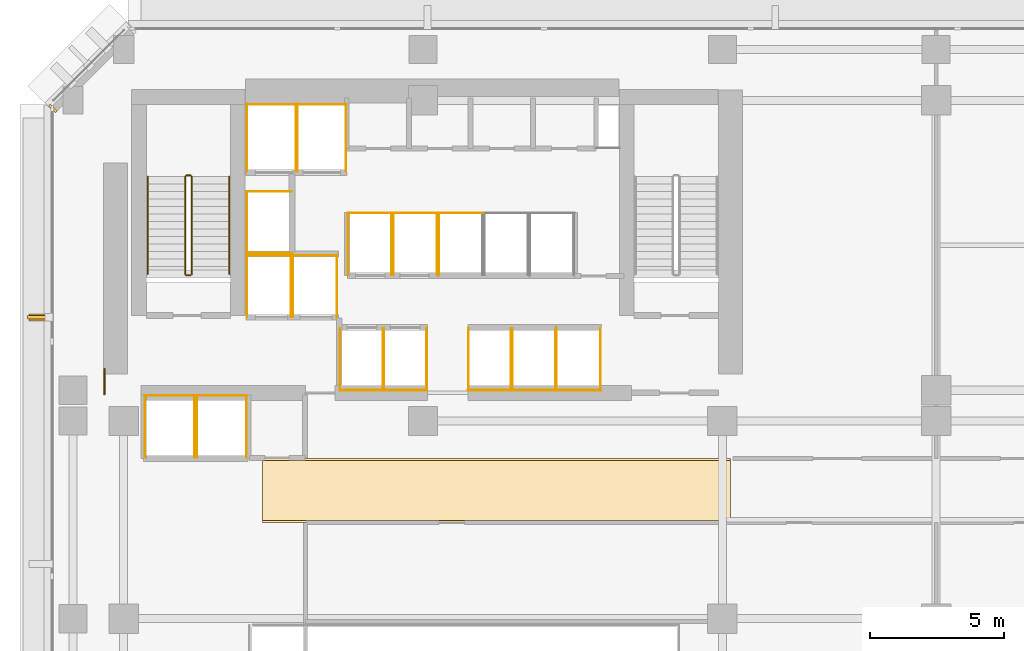
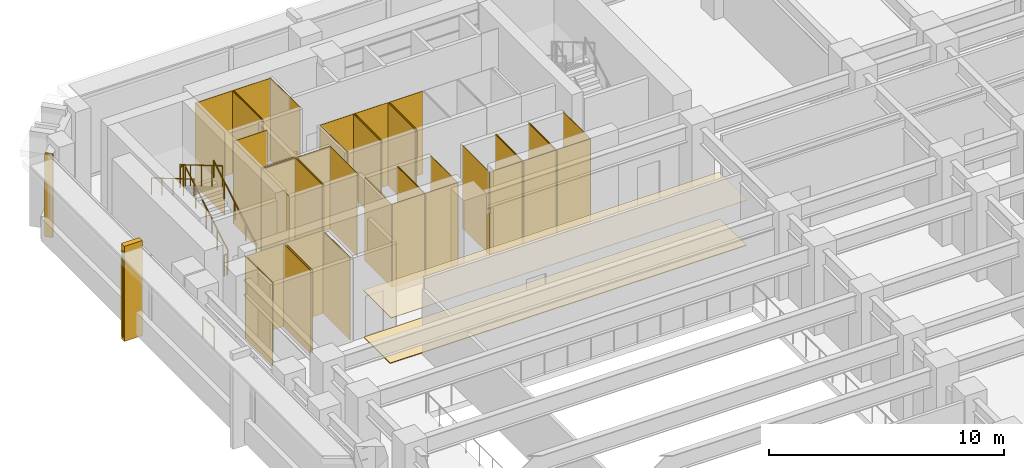
# One storey, part 13 of 16: 48 coverings, 7 railings, 1 shading device.
"""IFC4 building model written with IfcOpenShell, lengths in metres."""

from ifc_helpers import new_model, si_unit, direction, frame, origin, origin_2d, place, context, subcontext, project, spatial, polyline, rectangle, circle, outline, extrude, material, layer, layer_set, material_profile, profile_set, type_object, element, save


model = new_model("IFC4")

# Units and contexts
model_context = context("Model", 3, precision=1e-05, world=origin(), true_north=direction((0.0, 1.0)))
body_context = subcontext(model_context, "Body", "Model", "MODEL_VIEW")
ifc_project = project(units=[si_unit("LENGTHUNIT", "METRE"), si_unit("AREAUNIT", "SQUARE_METRE"), si_unit("VOLUMEUNIT", "CUBIC_METRE"), si_unit("PLANEANGLEUNIT", "RADIAN"), si_unit("MASSUNIT", "GRAM", prefix="KILO")], contexts=[model_context])

# Site, building, storey
site_placement = place(None, origin())
site = spatial("IfcSite", under=ifc_project, at=site_placement, CompositionType="ELEMENT")
building_placement = place(site_placement, origin())
building = spatial("IfcBuilding", under=site, at=building_placement, Name="Kefirva Bronze Tower", CompositionType="ELEMENT")
storey_placement = place(building_placement, frame((0.0, 0.0, 16.5)))
storey = spatial("IfcBuildingStorey", under=building, at=storey_placement, Name="L03", CompositionType="ELEMENT", Elevation=16.5)

# Coverings
ifc_material_1 = material(Name="Acoustic mineral tile")
ifc_layer_1 = layer(ifc_material_1, 0.02490234375, Name="Acoustic mineral tile")
ifc_layer_set_1 = layer_set([ifc_layer_1], Name="Acoustic mineral tile")
covering_type_1 = type_object("IfcCoveringType", Name="Acoustic Mineral Suspended Ceiling 25mm", PredefinedType="CEILING", material=ifc_layer_set_1)
covering_1_placement = place(storey_placement, frame((0.0, 0.0, 2.39990234375)))
element("IfcCovering", 1, at=covering_1_placement, inside=storey, type_object=covering_type_1, Name="L03 Corridor Acoustic Ceiling", PredefinedType="CEILING", context=body_context, shape_type="SweptSolid", body=[
    extrude(outline(polyline([(6.0, 29.39990234375), (23.5, 29.39990234375), (23.5, 31.800048828125), (6.0, 31.800048828125), (6.0, 29.39990234375)])), origin(), (0.0, 0.0, 1.0), 0.025146484375),
])
ifc_material_2 = material(Name="Bronze anodised aluminium", Category="aluminium")
ifc_layer_2 = layer(ifc_material_2, 0.02001953125, Name="Bronze anodised aluminium")
ifc_layer_set_2 = layer_set([ifc_layer_2], Name="Bronze anodised aluminium")
covering_type_2 = type_object("IfcCoveringType", Name="Anodised Bronze Spandrel Cladding 20mm", PredefinedType="CLADDING", material=ifc_layer_set_2)
covering_2_placement = place(storey_placement, frame((-1.847900390625, 44.8974609375, 0.0), z_axis=(0.0, 0.0, 1.0), x_axis=(-0.707106781187, -0.707106781187, 0.0)))
element("IfcCovering", 2, at=covering_2_placement, inside=storey, type_object=covering_type_2, Name="L03 Facade Joint Closure Panel 6E", PredefinedType="CLADDING", context=body_context, shape_type="SweptSolid", body=[
    extrude(rectangle(XDim=0.10009765625, YDim=0.360107421875, at=origin_2d()), origin(), (0.0, 0.0, 1.0), 4.300048828125),
])
covering_3_placement = place(storey_placement, origin())
element("IfcCovering", 3, at=covering_3_placement, inside=storey, type_object=covering_type_2, Name="L03 Lift FF1 Hoistway Liner N", PredefinedType="CLADDING", context=body_context, shape_type="SweptSolid", body=[
    extrude(outline(polyline([(5.39990234375, 39.389892578125), (7.080078125, 39.389892578125), (7.080078125, 39.409912109375), (5.39990234375, 39.409912109375), (5.39990234375, 39.389892578125)])), origin(), (0.0, 0.0, 1.0), 4.300048828125),
])
covering_4_placement = place(storey_placement, origin())
element("IfcCovering", 4, at=covering_4_placement, inside=storey, type_object=covering_type_2, Name="L03 Lift FF1 Hoistway Liner W", PredefinedType="CLADDING", context=body_context, shape_type="SweptSolid", body=[
    extrude(outline(polyline([(5.409912109375, 37.080078125), (5.429931640625, 37.080078125), (5.429931640625, 39.419921875), (5.409912109375, 39.419921875), (5.409912109375, 37.080078125)])), origin(), (0.0, 0.0, 1.0), 4.300048828125),
])
covering_5_placement = place(storey_placement, origin())
element("IfcCovering", 5, at=covering_5_placement, inside=storey, type_object=covering_type_2, Name="L03 Lift FF1 Hoistway Liner E", PredefinedType="CLADDING", context=body_context, shape_type="SweptSolid", body=[
    extrude(outline(polyline([(7.050048828125, 37.080078125), (7.070068359375, 37.080078125), (7.070068359375, 39.419921875), (7.050048828125, 39.419921875), (7.050048828125, 37.080078125)])), origin(), (0.0, 0.0, 1.0), 4.300048828125),
])
covering_6_placement = place(storey_placement, origin())
element("IfcCovering", 6, at=covering_6_placement, inside=storey, type_object=covering_type_2, Name="L03 Lift FF2 Hoistway Liner N", PredefinedType="CLADDING", context=body_context, shape_type="SweptSolid", body=[
    extrude(outline(polyline([(7.1201171875, 39.389892578125), (8.800048828125, 39.389892578125), (8.800048828125, 39.409912109375), (7.1201171875, 39.409912109375), (7.1201171875, 39.389892578125)])), origin(), (0.0, 0.0, 1.0), 4.300048828125),
])
covering_7_placement = place(storey_placement, origin())
element("IfcCovering", 7, at=covering_7_placement, inside=storey, type_object=covering_type_2, Name="L03 Lift FF2 Hoistway Liner W", PredefinedType="CLADDING", context=body_context, shape_type="SweptSolid", body=[
    extrude(outline(polyline([(7.1298828125, 37.080078125), (7.14990234375, 37.080078125), (7.14990234375, 39.419921875), (7.1298828125, 39.419921875), (7.1298828125, 37.080078125)])), origin(), (0.0, 0.0, 1.0), 4.300048828125),
])
covering_8_placement = place(storey_placement, origin())
element("IfcCovering", 8, at=covering_8_placement, inside=storey, type_object=covering_type_2, Name="L03 Lift FF2 Hoistway Liner E", PredefinedType="CLADDING", context=body_context, shape_type="SweptSolid", body=[
    extrude(outline(polyline([(8.77001953125, 37.080078125), (8.7900390625, 37.080078125), (8.7900390625, 39.419921875), (8.77001953125, 39.419921875), (8.77001953125, 37.080078125)])), origin(), (0.0, 0.0, 1.0), 4.300048828125),
])
covering_9_placement = place(storey_placement, origin())
element("IfcCovering", 9, at=covering_9_placement, inside=storey, type_object=covering_type_2, Name="L03 Lift SV1 Hoistway Liner N", PredefinedType="CLADDING", context=body_context, shape_type="SweptSolid", body=[
    extrude(outline(polyline([(5.39990234375, 45.0400390625), (7.260009765625, 45.0400390625), (7.260009765625, 45.06005859375), (5.39990234375, 45.06005859375), (5.39990234375, 45.0400390625)])), origin(), (0.0, 0.0, 1.0), 4.300048828125),
])
covering_10_placement = place(storey_placement, origin())
element("IfcCovering", 10, at=covering_10_placement, inside=storey, type_object=covering_type_2, Name="L03 Lift SV1 Hoistway Liner W", PredefinedType="CLADDING", context=body_context, shape_type="SweptSolid", body=[
    extrude(outline(polyline([(5.409912109375, 42.530029296875), (5.429931640625, 42.530029296875), (5.429931640625, 45.070068359375), (5.409912109375, 45.070068359375), (5.409912109375, 42.530029296875)])), origin(), (0.0, 0.0, 1.0), 4.300048828125),
])
covering_11_placement = place(storey_placement, origin())
element("IfcCovering", 11, at=covering_11_placement, inside=storey, type_object=covering_type_2, Name="L03 Lift SV1 Hoistway Liner E", PredefinedType="CLADDING", context=body_context, shape_type="SweptSolid", body=[
    extrude(outline(polyline([(7.22998046875, 42.530029296875), (7.25, 42.530029296875), (7.25, 45.070068359375), (7.22998046875, 45.070068359375), (7.22998046875, 42.530029296875)])), origin(), (0.0, 0.0, 1.0), 4.300048828125),
])
covering_12_placement = place(storey_placement, origin())
element("IfcCovering", 12, at=covering_12_placement, inside=storey, type_object=covering_type_2, Name="L03 Lift SV2 Hoistway Liner N", PredefinedType="CLADDING", context=body_context, shape_type="SweptSolid", body=[
    extrude(outline(polyline([(7.280029296875, 45.0400390625), (9.139892578125, 45.0400390625), (9.139892578125, 45.06005859375), (7.280029296875, 45.06005859375), (7.280029296875, 45.0400390625)])), origin(), (0.0, 0.0, 1.0), 4.300048828125),
])
covering_13_placement = place(storey_placement, origin())
element("IfcCovering", 13, at=covering_13_placement, inside=storey, type_object=covering_type_2, Name="L03 Lift SV2 Hoistway Liner W", PredefinedType="CLADDING", context=body_context, shape_type="SweptSolid", body=[
    extrude(outline(polyline([(7.2900390625, 42.530029296875), (7.31005859375, 42.530029296875), (7.31005859375, 45.070068359375), (7.2900390625, 45.070068359375), (7.2900390625, 42.530029296875)])), origin(), (0.0, 0.0, 1.0), 4.300048828125),
])
covering_14_placement = place(storey_placement, origin())
element("IfcCovering", 14, at=covering_14_placement, inside=storey, type_object=covering_type_2, Name="L03 Lift SV2 Hoistway Liner E", PredefinedType="CLADDING", context=body_context, shape_type="SweptSolid", body=[
    extrude(outline(polyline([(9.110107421875, 42.530029296875), (9.1298828125, 42.530029296875), (9.1298828125, 45.070068359375), (9.110107421875, 45.070068359375), (9.110107421875, 42.530029296875)])), origin(), (0.0, 0.0, 1.0), 4.300048828125),
])
covering_15_placement = place(storey_placement, origin())
element("IfcCovering", 15, at=covering_15_placement, inside=storey, type_object=covering_type_2, Name="L03 Lift OB1 Hoistway Liner N", PredefinedType="CLADDING", context=body_context, shape_type="SweptSolid", body=[
    extrude(outline(polyline([(1.580078125, 34.139892578125), (3.469970703125, 34.139892578125), (3.469970703125, 34.159912109375), (1.580078125, 34.159912109375), (1.580078125, 34.139892578125)])), origin(), (0.0, 0.0, 1.0), 4.300048828125),
])
covering_16_placement = place(storey_placement, origin())
element("IfcCovering", 16, at=covering_16_placement, inside=storey, type_object=covering_type_2, Name="L03 Lift OB1 Hoistway Liner W", PredefinedType="CLADDING", context=body_context, shape_type="SweptSolid", body=[
    extrude(outline(polyline([(1.590087890625, 31.830078125), (1.610107421875, 31.830078125), (1.610107421875, 34.169921875), (1.590087890625, 34.169921875), (1.590087890625, 31.830078125)])), origin(), (0.0, 0.0, 1.0), 4.300048828125),
])
covering_17_placement = place(storey_placement, origin())
element("IfcCovering", 17, at=covering_17_placement, inside=storey, type_object=covering_type_2, Name="L03 Lift OB1 Hoistway Liner E", PredefinedType="CLADDING", context=body_context, shape_type="SweptSolid", body=[
    extrude(outline(polyline([(3.43994140625, 31.830078125), (3.4599609375, 31.830078125), (3.4599609375, 34.169921875), (3.43994140625, 34.169921875), (3.43994140625, 31.830078125)])), origin(), (0.0, 0.0, 1.0), 4.300048828125),
])
covering_18_placement = place(storey_placement, origin())
element("IfcCovering", 18, at=covering_18_placement, inside=storey, type_object=covering_type_2, Name="L03 Lift OB2 Hoistway Liner N", PredefinedType="CLADDING", context=body_context, shape_type="SweptSolid", body=[
    extrude(outline(polyline([(3.530029296875, 34.139892578125), (5.419921875, 34.139892578125), (5.419921875, 34.159912109375), (3.530029296875, 34.159912109375), (3.530029296875, 34.139892578125)])), origin(), (0.0, 0.0, 1.0), 4.300048828125),
])
covering_19_placement = place(storey_placement, origin())
element("IfcCovering", 19, at=covering_19_placement, inside=storey, type_object=covering_type_2, Name="L03 Lift OB2 Hoistway Liner W", PredefinedType="CLADDING", context=body_context, shape_type="SweptSolid", body=[
    extrude(outline(polyline([(3.5400390625, 31.830078125), (3.56005859375, 31.830078125), (3.56005859375, 34.169921875), (3.5400390625, 34.169921875), (3.5400390625, 31.830078125)])), origin(), (0.0, 0.0, 1.0), 4.300048828125),
])
covering_20_placement = place(storey_placement, origin())
element("IfcCovering", 20, at=covering_20_placement, inside=storey, type_object=covering_type_2, Name="L03 Lift OB2 Hoistway Liner E", PredefinedType="CLADDING", context=body_context, shape_type="SweptSolid", body=[
    extrude(outline(polyline([(5.389892578125, 31.830078125), (5.409912109375, 31.830078125), (5.409912109375, 34.169921875), (5.389892578125, 34.169921875), (5.389892578125, 31.830078125)])), origin(), (0.0, 0.0, 1.0), 4.300048828125),
])
covering_21_placement = place(storey_placement, origin())
element("IfcCovering", 21, at=covering_21_placement, inside=storey, type_object=covering_type_2, Name="L03 Lift LP1 Hoistway Liner S", PredefinedType="CLADDING", context=body_context, shape_type="SweptSolid", body=[
    extrude(outline(polyline([(8.8798828125, 34.340087890625), (10.52001953125, 34.340087890625), (10.52001953125, 34.360107421875), (8.8798828125, 34.360107421875), (8.8798828125, 34.340087890625)])), origin(), (0.0, 0.0, 1.0), 4.300048828125),
])
covering_22_placement = place(storey_placement, origin())
element("IfcCovering", 22, at=covering_22_placement, inside=storey, type_object=covering_type_2, Name="L03 Lift LP1 Hoistway Liner W", PredefinedType="CLADDING", context=body_context, shape_type="SweptSolid", body=[
    extrude(outline(polyline([(8.889892578125, 34.330078125), (8.909912109375, 34.330078125), (8.909912109375, 36.669921875), (8.889892578125, 36.669921875), (8.889892578125, 34.330078125)])), origin(), (0.0, 0.0, 1.0), 4.300048828125),
])
covering_23_placement = place(storey_placement, origin())
element("IfcCovering", 23, at=covering_23_placement, inside=storey, type_object=covering_type_2, Name="L03 Lift LP1 Hoistway Liner E", PredefinedType="CLADDING", context=body_context, shape_type="SweptSolid", body=[
    extrude(outline(polyline([(10.489990234375, 34.330078125), (10.510009765625, 34.330078125), (10.510009765625, 36.669921875), (10.489990234375, 36.669921875), (10.489990234375, 34.330078125)])), origin(), (0.0, 0.0, 1.0), 4.300048828125),
])
covering_24_placement = place(storey_placement, origin())
element("IfcCovering", 24, at=covering_24_placement, inside=storey, type_object=covering_type_2, Name="L03 Lift LP2 Hoistway Liner S", PredefinedType="CLADDING", context=body_context, shape_type="SweptSolid", body=[
    extrude(outline(polyline([(10.52001953125, 34.340087890625), (12.159912109375, 34.340087890625), (12.159912109375, 34.360107421875), (10.52001953125, 34.360107421875), (10.52001953125, 34.340087890625)])), origin(), (0.0, 0.0, 1.0), 4.300048828125),
])
covering_25_placement = place(storey_placement, origin())
element("IfcCovering", 25, at=covering_25_placement, inside=storey, type_object=covering_type_2, Name="L03 Lift LP2 Hoistway Liner W", PredefinedType="CLADDING", context=body_context, shape_type="SweptSolid", body=[
    extrude(outline(polyline([(10.530029296875, 34.330078125), (10.550048828125, 34.330078125), (10.550048828125, 36.669921875), (10.530029296875, 36.669921875), (10.530029296875, 34.330078125)])), origin(), (0.0, 0.0, 1.0), 4.300048828125),
])
covering_26_placement = place(storey_placement, origin())
element("IfcCovering", 26, at=covering_26_placement, inside=storey, type_object=covering_type_2, Name="L03 Lift LP2 Hoistway Liner E", PredefinedType="CLADDING", context=body_context, shape_type="SweptSolid", body=[
    extrude(outline(polyline([(12.1298828125, 34.330078125), (12.14990234375, 34.330078125), (12.14990234375, 36.669921875), (12.1298828125, 36.669921875), (12.1298828125, 34.330078125)])), origin(), (0.0, 0.0, 1.0), 4.300048828125),
])
covering_27_placement = place(storey_placement, origin())
element("IfcCovering", 27, at=covering_27_placement, inside=storey, type_object=covering_type_2, Name="L03 Lift LP3 Hoistway Liner N", PredefinedType="CLADDING", context=body_context, shape_type="SweptSolid", body=[
    extrude(outline(polyline([(9.179931640625, 40.969970703125), (10.85009765625, 40.969970703125), (10.85009765625, 40.989990234375), (9.179931640625, 40.989990234375), (9.179931640625, 40.969970703125)])), origin(), (0.0, 0.0, 1.0), 4.300048828125),
])
covering_28_placement = place(storey_placement, origin())
element("IfcCovering", 28, at=covering_28_placement, inside=storey, type_object=covering_type_2, Name="L03 Lift LP3 Hoistway Liner W", PredefinedType="CLADDING", context=body_context, shape_type="SweptSolid", body=[
    extrude(outline(polyline([(9.18994140625, 38.659912109375), (9.2099609375, 38.659912109375), (9.2099609375, 41.0), (9.18994140625, 41.0), (9.18994140625, 38.659912109375)])), origin(), (0.0, 0.0, 1.0), 4.300048828125),
])
covering_29_placement = place(storey_placement, origin())
element("IfcCovering", 29, at=covering_29_placement, inside=storey, type_object=covering_type_2, Name="L03 Lift LP3 Hoistway Liner E", PredefinedType="CLADDING", context=body_context, shape_type="SweptSolid", body=[
    extrude(outline(polyline([(10.820068359375, 38.659912109375), (10.840087890625, 38.659912109375), (10.840087890625, 41.0), (10.820068359375, 41.0), (10.820068359375, 38.659912109375)])), origin(), (0.0, 0.0, 1.0), 4.300048828125),
])
covering_30_placement = place(storey_placement, origin())
element("IfcCovering", 30, at=covering_30_placement, inside=storey, type_object=covering_type_2, Name="L03 Lift LP4 Hoistway Liner N", PredefinedType="CLADDING", context=body_context, shape_type="SweptSolid", body=[
    extrude(outline(polyline([(10.8798828125, 40.969970703125), (12.550048828125, 40.969970703125), (12.550048828125, 40.989990234375), (10.8798828125, 40.989990234375), (10.8798828125, 40.969970703125)])), origin(), (0.0, 0.0, 1.0), 4.300048828125),
])
covering_31_placement = place(storey_placement, origin())
element("IfcCovering", 31, at=covering_31_placement, inside=storey, type_object=covering_type_2, Name="L03 Lift LP4 Hoistway Liner W", PredefinedType="CLADDING", context=body_context, shape_type="SweptSolid", body=[
    extrude(outline(polyline([(10.889892578125, 38.659912109375), (10.909912109375, 38.659912109375), (10.909912109375, 41.0), (10.889892578125, 41.0), (10.889892578125, 38.659912109375)])), origin(), (0.0, 0.0, 1.0), 4.300048828125),
])
covering_32_placement = place(storey_placement, origin())
element("IfcCovering", 32, at=covering_32_placement, inside=storey, type_object=covering_type_2, Name="L03 Lift LP4 Hoistway Liner E", PredefinedType="CLADDING", context=body_context, shape_type="SweptSolid", body=[
    extrude(outline(polyline([(12.52001953125, 38.659912109375), (12.5400390625, 38.659912109375), (12.5400390625, 41.0), (12.52001953125, 41.0), (12.52001953125, 38.659912109375)])), origin(), (0.0, 0.0, 1.0), 4.300048828125),
])
covering_33_placement = place(storey_placement, origin())
element("IfcCovering", 33, at=covering_33_placement, inside=storey, type_object=covering_type_2, Name="L03 Lift MP1 Hoistway Liner S", PredefinedType="CLADDING", context=body_context, shape_type="SweptSolid", body=[
    extrude(outline(polyline([(13.679931640625, 34.340087890625), (15.320068359375, 34.340087890625), (15.320068359375, 34.360107421875), (13.679931640625, 34.360107421875), (13.679931640625, 34.340087890625)])), origin(), (0.0, 0.0, 1.0), 4.300048828125),
])
covering_34_placement = place(storey_placement, origin())
element("IfcCovering", 34, at=covering_34_placement, inside=storey, type_object=covering_type_2, Name="L03 Lift MP1 Hoistway Liner W", PredefinedType="CLADDING", context=body_context, shape_type="SweptSolid", body=[
    extrude(outline(polyline([(13.68994140625, 34.330078125), (13.7099609375, 34.330078125), (13.7099609375, 36.669921875), (13.68994140625, 36.669921875), (13.68994140625, 34.330078125)])), origin(), (0.0, 0.0, 1.0), 4.300048828125),
])
covering_35_placement = place(storey_placement, origin())
element("IfcCovering", 35, at=covering_35_placement, inside=storey, type_object=covering_type_2, Name="L03 Lift MP1 Hoistway Liner E", PredefinedType="CLADDING", context=body_context, shape_type="SweptSolid", body=[
    extrude(outline(polyline([(15.2900390625, 34.330078125), (15.31005859375, 34.330078125), (15.31005859375, 36.669921875), (15.2900390625, 36.669921875), (15.2900390625, 34.330078125)])), origin(), (0.0, 0.0, 1.0), 4.300048828125),
])
covering_36_placement = place(storey_placement, origin())
element("IfcCovering", 36, at=covering_36_placement, inside=storey, type_object=covering_type_2, Name="L03 Lift MP2 Hoistway Liner S", PredefinedType="CLADDING", context=body_context, shape_type="SweptSolid", body=[
    extrude(outline(polyline([(15.330078125, 34.340087890625), (16.969970703125, 34.340087890625), (16.969970703125, 34.360107421875), (15.330078125, 34.360107421875), (15.330078125, 34.340087890625)])), origin(), (0.0, 0.0, 1.0), 4.300048828125),
])
covering_37_placement = place(storey_placement, origin())
element("IfcCovering", 37, at=covering_37_placement, inside=storey, type_object=covering_type_2, Name="L03 Lift MP2 Hoistway Liner W", PredefinedType="CLADDING", context=body_context, shape_type="SweptSolid", body=[
    extrude(outline(polyline([(15.340087890625, 34.330078125), (15.360107421875, 34.330078125), (15.360107421875, 36.669921875), (15.340087890625, 36.669921875), (15.340087890625, 34.330078125)])), origin(), (0.0, 0.0, 1.0), 4.300048828125),
])
covering_38_placement = place(storey_placement, origin())
element("IfcCovering", 38, at=covering_38_placement, inside=storey, type_object=covering_type_2, Name="L03 Lift MP2 Hoistway Liner E", PredefinedType="CLADDING", context=body_context, shape_type="SweptSolid", body=[
    extrude(outline(polyline([(16.93994140625, 34.330078125), (16.9599609375, 34.330078125), (16.9599609375, 36.669921875), (16.93994140625, 36.669921875), (16.93994140625, 34.330078125)])), origin(), (0.0, 0.0, 1.0), 4.300048828125),
])
covering_39_placement = place(storey_placement, origin())
element("IfcCovering", 39, at=covering_39_placement, inside=storey, type_object=covering_type_2, Name="L03 Lift MP3 Hoistway Liner N", PredefinedType="CLADDING", context=body_context, shape_type="SweptSolid", body=[
    extrude(outline(polyline([(12.580078125, 40.969970703125), (14.25, 40.969970703125), (14.25, 40.989990234375), (12.580078125, 40.989990234375), (12.580078125, 40.969970703125)])), origin(), (0.0, 0.0, 1.0), 4.300048828125),
])
covering_40_placement = place(storey_placement, origin())
element("IfcCovering", 40, at=covering_40_placement, inside=storey, type_object=covering_type_2, Name="L03 Lift MP3 Hoistway Liner W", PredefinedType="CLADDING", context=body_context, shape_type="SweptSolid", body=[
    extrude(outline(polyline([(12.590087890625, 38.659912109375), (12.610107421875, 38.659912109375), (12.610107421875, 41.0), (12.590087890625, 41.0), (12.590087890625, 38.659912109375)])), origin(), (0.0, 0.0, 1.0), 4.300048828125),
])
covering_41_placement = place(storey_placement, origin())
element("IfcCovering", 41, at=covering_41_placement, inside=storey, type_object=covering_type_2, Name="L03 Lift HP1 Hoistway Liner S", PredefinedType="CLADDING", context=body_context, shape_type="SweptSolid", body=[
    extrude(outline(polyline([(16.97998046875, 34.340087890625), (18.669921875, 34.340087890625), (18.669921875, 34.360107421875), (16.97998046875, 34.360107421875), (16.97998046875, 34.340087890625)])), origin(), (0.0, 0.0, 1.0), 4.300048828125),
])
covering_42_placement = place(storey_placement, origin())
element("IfcCovering", 42, at=covering_42_placement, inside=storey, type_object=covering_type_2, Name="L03 Lift HP1 Hoistway Liner W", PredefinedType="CLADDING", context=body_context, shape_type="SweptSolid", body=[
    extrude(outline(polyline([(16.989990234375, 34.330078125), (17.010009765625, 34.330078125), (17.010009765625, 36.669921875), (16.989990234375, 36.669921875), (16.989990234375, 34.330078125)])), origin(), (0.0, 0.0, 1.0), 4.300048828125),
])
covering_43_placement = place(storey_placement, origin())
element("IfcCovering", 43, at=covering_43_placement, inside=storey, type_object=covering_type_2, Name="L03 Lift HP1 Hoistway Liner E", PredefinedType="CLADDING", context=body_context, shape_type="SweptSolid", body=[
    extrude(outline(polyline([(18.639892578125, 34.330078125), (18.659912109375, 34.330078125), (18.659912109375, 36.669921875), (18.639892578125, 36.669921875), (18.639892578125, 34.330078125)])), origin(), (0.0, 0.0, 1.0), 4.300048828125),
])
covering_44_placement = place(storey_placement, origin())
element("IfcCovering", 44, at=covering_44_placement, inside=storey, type_object=covering_type_2, Name="L03 Lift HP3 Hoistway Liner N", PredefinedType="CLADDING", context=body_context, shape_type="SweptSolid", body=[
    extrude(outline(polyline([(5.39990234375, 41.77001953125), (7.080078125, 41.77001953125), (7.080078125, 41.7900390625), (5.39990234375, 41.7900390625), (5.39990234375, 41.77001953125)])), origin(), (0.0, 0.0, 1.0), 4.300048828125),
])
covering_45_placement = place(storey_placement, origin())
element("IfcCovering", 45, at=covering_45_placement, inside=storey, type_object=covering_type_2, Name="L03 Lift HP3 Hoistway Liner S", PredefinedType="CLADDING", context=body_context, shape_type="SweptSolid", body=[
    extrude(outline(polyline([(5.39990234375, 39.469970703125), (7.080078125, 39.469970703125), (7.080078125, 39.489990234375), (5.39990234375, 39.489990234375), (5.39990234375, 39.469970703125)])), origin(), (0.0, 0.0, 1.0), 4.300048828125),
])
covering_46_placement = place(storey_placement, origin())
element("IfcCovering", 46, at=covering_46_placement, inside=storey, type_object=covering_type_2, Name="L03 Lift HP3 Hoistway Liner W", PredefinedType="CLADDING", context=body_context, shape_type="SweptSolid", body=[
    extrude(outline(polyline([(5.409912109375, 39.4599609375), (5.429931640625, 39.4599609375), (5.429931640625, 41.800048828125), (5.409912109375, 41.800048828125), (5.409912109375, 39.4599609375)])), origin(), (0.0, 0.0, 1.0), 4.300048828125),
])
ifc_material_3 = material(Name="Honed basalt stone paver", Category="masonry")
ifc_layer_3 = layer(ifc_material_3, 0.034912109375, Name="Honed basalt stone paver")
ifc_layer_set_3 = layer_set([ifc_layer_3], Name="Honed basalt stone paver")
covering_type_3 = type_object("IfcCoveringType", Name="Honed Basalt Concourse Flooring 35mm", PredefinedType="FLOORING", material=ifc_layer_set_3)
covering_47_placement = place(storey_placement, origin())
element("IfcCovering", 47, at=covering_47_placement, inside=storey, type_object=covering_type_3, Name="L03 Architectural Finish Flooring", PredefinedType="FLOORING", context=body_context, shape_type="SweptSolid", body=[
    extrude(outline(polyline([(6.0, 29.47998046875), (23.5, 29.47998046875), (23.5, 31.719970703125), (6.0, 31.719970703125), (6.0, 29.47998046875)])), origin(), (0.0, 0.0, 1.0), 0.034912109375),
])

# Railings
ifc_material_4 = material(Name="Stainless steel 316", Category="steel")
railing_type_1 = type_object("IfcRailingType", Name="Interior Stair Guardrail 1100mm", PredefinedType="GUARDRAIL", material=ifc_material_4)
railing_1_placement = place(storey_placement, frame((3.35009765625, 38.699951171875, 0.1650390625)))
element("IfcRailing", 48, at=railing_1_placement, inside=storey, type_object=railing_type_1, Name="L03 ST-1 stair guard 1", PredefinedType="GUARDRAIL", context=body_context, shape_type="SweptSolid", body=[
    extrude(circle(Radius=0.02392578125, at=origin_2d()), frame((0.0, 0.0, 1.076171875), z_axis=(0.0, 0.861544779993, 0.507681585313), x_axis=(-1.0, 0.0, 0.0)), (0.0, 0.0, 1.0), 4.22509765625),
    extrude(circle(Radius=0.02099609375, at=origin_2d()), origin(), (0.0, 0.0, 1.0), 1.052001953125),
    extrude(circle(Radius=0.02099609375, at=origin_2d()), frame((0.0, 0.91015625, 0.5361328125)), (0.0, 0.0, 1.0), 1.052001953125),
    extrude(circle(Radius=0.02099609375, at=origin_2d()), frame((0.0, 1.820068359375, 1.072509765625)), (0.0, 0.0, 1.0), 1.052001953125),
    extrude(circle(Radius=0.02099609375, at=origin_2d()), frame((0.0, 2.72998046875, 1.60888671875)), (0.0, 0.0, 1.0), 1.052001953125),
    extrude(circle(Radius=0.02099609375, at=origin_2d()), frame((0.0, 3.64013671875, 2.14501953125)), (0.0, 0.0, 1.0), 1.052001953125),
])
railing_2_placement = place(storey_placement, frame((3.300048828125, 42.389892578125, 2.31005859375)))
element("IfcRailing", 49, at=railing_2_placement, inside=storey, type_object=railing_type_1, Name="L03 ST-1 stair guard 2", PredefinedType="GUARDRAIL", context=body_context, shape_type="SweptSolid", body=[
    extrude(circle(Radius=0.02392578125, at=origin_2d()), frame((0.0, 0.0, 1.076171875), z_axis=(-1.0, 0.0, 0.0), x_axis=(0.0, -1.0, 0.0)), (0.0, 0.0, 1.0), 0.150146484375),
    extrude(circle(Radius=0.02099609375, at=origin_2d()), origin(), (0.0, 0.0, 1.0), 1.052001953125),
    extrude(circle(Radius=0.02099609375, at=origin_2d()), frame((-0.150146484375, 0.0, 0.0)), (0.0, 0.0, 1.0), 1.052001953125),
])
railing_3_placement = place(storey_placement, frame((3.10009765625, 42.340087890625, 2.47509765625)))
element("IfcRailing", 50, at=railing_3_placement, inside=storey, type_object=railing_type_1, Name="L03 ST-1 stair guard 3", PredefinedType="GUARDRAIL", context=body_context, shape_type="SweptSolid", body=[
    extrude(circle(Radius=0.02392578125, at=origin_2d()), frame((0.0, 0.0, 1.076171875), z_axis=(0.0, -0.861544779993, 0.507681585313), x_axis=(1.0, 0.0, 0.0)), (0.0, 0.0, 1.0), 4.22509765625),
    extrude(circle(Radius=0.02099609375, at=origin_2d()), origin(), (0.0, 0.0, 1.0), 1.052001953125),
    extrude(circle(Radius=0.02099609375, at=origin_2d()), frame((0.0, -0.91015625, 0.5361328125)), (0.0, 0.0, 1.0), 1.052001953125),
    extrude(circle(Radius=0.02099609375, at=origin_2d()), frame((0.0, -1.820068359375, 1.072509765625)), (0.0, 0.0, 1.0), 1.052001953125),
    extrude(circle(Radius=0.02099609375, at=origin_2d()), frame((0.0, -2.72998046875, 1.60888671875)), (0.0, 0.0, 1.0), 1.052001953125),
    extrude(circle(Radius=0.02099609375, at=origin_2d()), frame((0.0, -3.64013671875, 2.14501953125)), (0.0, 0.0, 1.0), 1.052001953125),
])
railing_4_placement = place(storey_placement, frame((3.300048828125, 38.64990234375, 0.0)))
element("IfcRailing", 51, at=railing_4_placement, inside=storey, type_object=railing_type_1, Name="L03 ST-1 stair guard 4", PredefinedType="GUARDRAIL", context=body_context, shape_type="SweptSolid", body=[
    extrude(circle(Radius=0.02392578125, at=origin_2d()), frame((0.0, 0.0, 1.076171875), z_axis=(-1.0, 0.0, 0.0), x_axis=(0.0, -1.0, 0.0)), (0.0, 0.0, 1.0), 0.150146484375),
    extrude(circle(Radius=0.02099609375, at=origin_2d()), origin(), (0.0, 0.0, 1.0), 1.052001953125),
    extrude(circle(Radius=0.02099609375, at=origin_2d()), frame((-0.150146484375, 0.0, 0.0)), (0.0, 0.0, 1.0), 1.052001953125),
])
railing_5_placement = place(storey_placement, frame((0.080078125, 34.199951171875, 0.0)))
element("IfcRailing", 52, at=railing_5_placement, inside=storey, type_object=railing_type_1, Name="L03 West Core Junction Guardrail", PredefinedType="GUARDRAIL", context=body_context, shape_type="SweptSolid", body=[
    extrude(circle(Radius=0.02392578125, at=origin_2d()), frame((0.0, 0.0, 1.076171875), z_axis=(0.0, 1.0, 0.0), x_axis=(-1.0, 0.0, 0.0)), (0.0, 0.0, 1.0), 0.949951171875),
    extrude(circle(Radius=0.02099609375, at=origin_2d()), origin(), (0.0, 0.0, 1.0), 1.052001953125),
    extrude(circle(Radius=0.02099609375, at=origin_2d()), frame((0.0, 0.949951171875, 0.0)), (0.0, 0.0, 1.0), 1.052001953125),
])
railing_type_2 = type_object("IfcRailingType", Name="Stair Pitch Handrail 900mm", PredefinedType="HANDRAIL", material=ifc_material_4)
railing_6_placement = place(storey_placement, frame((4.75, 38.699951171875, 0.1650390625)))
element("IfcRailing", 53, at=railing_6_placement, inside=storey, type_object=railing_type_2, Name="L03 ST-1 stair handrail 1", PredefinedType="HANDRAIL", context=body_context, shape_type="SweptSolid", body=[
    extrude(circle(Radius=0.02392578125, at=origin_2d()), frame((0.0, 0.0, 0.8759765625), z_axis=(0.0, 0.861544779993, 0.507681585313), x_axis=(-1.0, 0.0, 0.0)), (0.0, 0.0, 1.0), 4.22509765625),
    extrude(circle(Radius=0.02099609375, at=origin_2d()), origin(), (0.0, 0.0, 1.0), 0.851806640625),
    extrude(circle(Radius=0.02099609375, at=origin_2d()), frame((0.0, 0.91015625, 0.5361328125)), (0.0, 0.0, 1.0), 0.851806640625),
    extrude(circle(Radius=0.02099609375, at=origin_2d()), frame((0.0, 1.820068359375, 1.072509765625)), (0.0, 0.0, 1.0), 0.851806640625),
    extrude(circle(Radius=0.02099609375, at=origin_2d()), frame((0.0, 2.72998046875, 1.60888671875)), (0.0, 0.0, 1.0), 0.851806640625),
    extrude(circle(Radius=0.02099609375, at=origin_2d()), frame((0.0, 3.64013671875, 2.14501953125)), (0.0, 0.0, 1.0), 0.851806640625),
])
railing_7_placement = place(storey_placement, frame((1.699951171875, 42.340087890625, 2.47509765625)))
element("IfcRailing", 54, at=railing_7_placement, inside=storey, type_object=railing_type_2, Name="L03 ST-1 stair handrail 2", PredefinedType="HANDRAIL", context=body_context, shape_type="SweptSolid", body=[
    extrude(circle(Radius=0.02392578125, at=origin_2d()), frame((0.0, 0.0, 0.8759765625), z_axis=(0.0, -0.861544779993, 0.507681585313), x_axis=(1.0, 0.0, 0.0)), (0.0, 0.0, 1.0), 4.22509765625),
    extrude(circle(Radius=0.02099609375, at=origin_2d()), origin(), (0.0, 0.0, 1.0), 0.851806640625),
    extrude(circle(Radius=0.02099609375, at=origin_2d()), frame((0.0, -0.91015625, 0.5361328125)), (0.0, 0.0, 1.0), 0.851806640625),
    extrude(circle(Radius=0.02099609375, at=origin_2d()), frame((0.0, -1.820068359375, 1.072509765625)), (0.0, 0.0, 1.0), 0.851806640625),
    extrude(circle(Radius=0.02099609375, at=origin_2d()), frame((0.0, -2.72998046875, 1.60888671875)), (0.0, 0.0, 1.0), 0.851806640625),
    extrude(circle(Radius=0.02099609375, at=origin_2d()), frame((0.0, -3.64013671875, 2.14501953125)), (0.0, 0.0, 1.0), 0.851806640625),
])

# Covering
ifc_layer_4 = layer(ifc_material_2, 0.260009765625, Name="Bronze anodised aluminium")
ifc_layer_set_4 = layer_set([ifc_layer_4], Name="Bronze anodised aluminium")
covering_type_4 = type_object("IfcCoveringType", Name="Unbroken Bronze Buttress Fin Cladding 260mm", PredefinedType="CLADDING", material=ifc_layer_set_4)
covering_48_placement = place(storey_placement, frame((-2.300048828125, 37.080078125, -0.320068359375), z_axis=(0.0, 0.0, 1.0), x_axis=(0.0, -1.0, 0.0)))
element("IfcCovering", 55, at=covering_48_placement, inside=storey, type_object=covering_type_4, Name="L03 Unbroken Vertical Bronze Rib Fin 29", PredefinedType="CLADDING", context=body_context, shape_type="SweptSolid", body=[
    extrude(rectangle(XDim=0.260009765625, YDim=0.8798828125, at=origin_2d()), origin(), (0.0, 0.0, 1.0), 4.93994140625),
])

# Shading device
ifc_material_profile = material_profile(ifc_material_2, rectangle(XDim=0.139892578125, YDim=0.8798828125, at=origin_2d()), Name="BRONZE FIN 140x880")
ifc_profile_set = profile_set([ifc_material_profile], Name="Bronze anodised aluminium")
shading_device_type = type_object("IfcShadingDeviceType", Name="Unbroken Vertical Bronze Facade Fin 880mm", PredefinedType="USERDEFINED", material=ifc_profile_set)
shading_device_placement = place(storey_placement, frame((-2.360107421875, 37.080078125, -0.139892578125), z_axis=(0.0, 0.0, 1.0), x_axis=(0.0, -1.0, 0.0)))
element("IfcShadingDevice", 56, at=shading_device_placement, inside=storey, type_object=shading_device_type, Name="L03 Vertical Bronze Rib Fin 29", ObjectType="VERTICAL FIN", PredefinedType="USERDEFINED", context=body_context, shape_type="SweptSolid", body=[
    extrude(rectangle(XDim=0.139892578125, YDim=0.8798828125, at=origin_2d()), origin(), (0.0, 0.0, 1.0), 4.43994140625),
])

save(model, "model.ifc")
